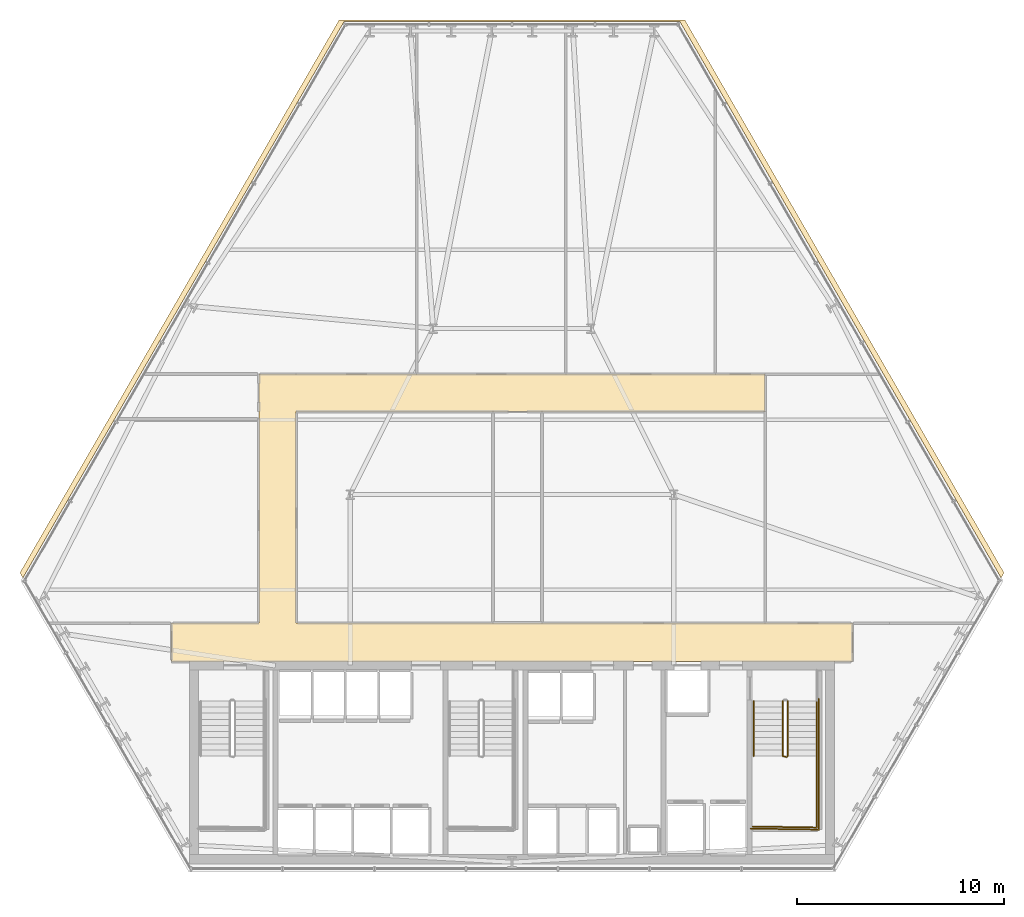
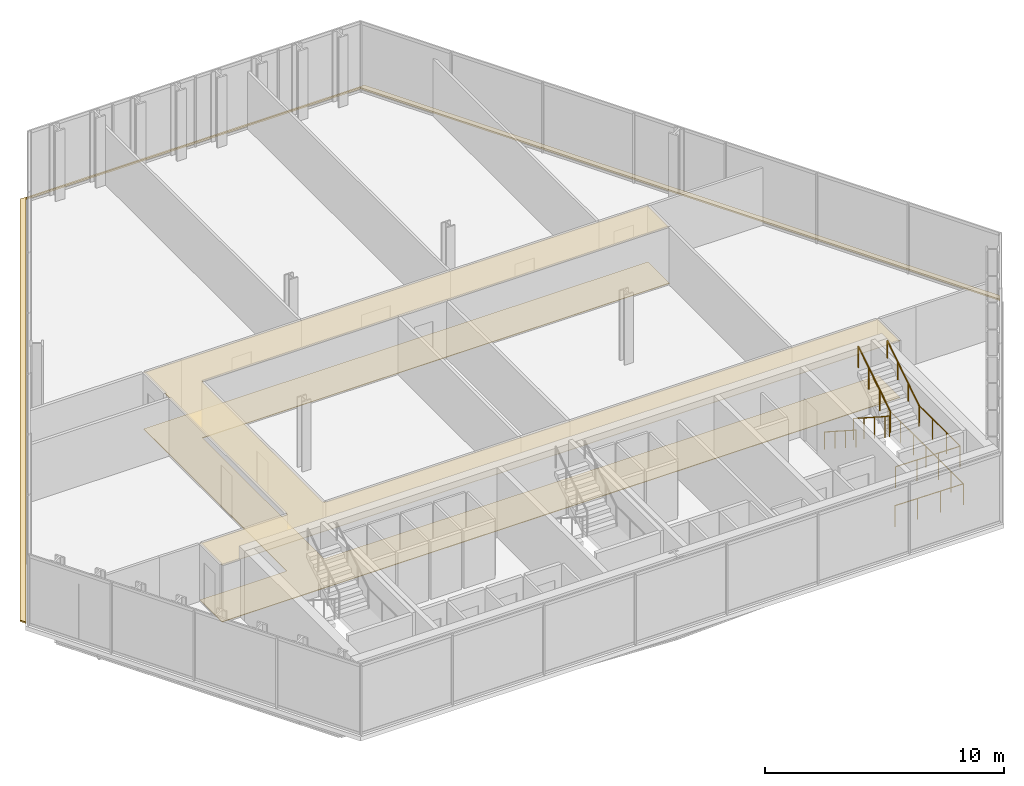
# One storey, part 31 of 32: 6 railings, 3 coverings.
"""IFC4 building model written with IfcOpenShell, lengths in metres."""

from ifc_helpers import new_model, si_unit, direction, frame, origin, origin_2d, place, context, subcontext, project, spatial, polyline, circle, outline, extrude, material, layer, layer_set, type_object, element, save


model = new_model("IFC4")

# Units and contexts
model_context = context("Model", 3, precision=1e-05, world=origin(), true_north=direction((0.0, 1.0)))
body_context = subcontext(model_context, "Body", "Model", "MODEL_VIEW")
ifc_project = project(units=[si_unit("LENGTHUNIT", "METRE"), si_unit("AREAUNIT", "SQUARE_METRE"), si_unit("VOLUMEUNIT", "CUBIC_METRE"), si_unit("PLANEANGLEUNIT", "RADIAN"), si_unit("MASSUNIT", "GRAM", prefix="KILO")], contexts=[model_context])

# Site, building, storey
site_placement = place(None, origin())
site = spatial("IfcSite", under=ifc_project, at=site_placement, CompositionType="ELEMENT")
building_placement = place(site_placement, origin())
building = spatial("IfcBuilding", under=site, at=building_placement, Name="Ndaravel Arena Tower", CompositionType="ELEMENT")
storey_placement = place(building_placement, frame((0.0, 0.0, 47.39990234375)))
storey = spatial("IfcBuildingStorey", under=building, at=storey_placement, Name="L09", CompositionType="ELEMENT", Elevation=47.39990234375)

# Coverings
ifc_material_1 = material(Name="Acoustic Ceiling Tile", Category="finish")
ifc_layer_1 = layer(ifc_material_1, 0.02490234375)
ifc_layer_set_1 = layer_set([ifc_layer_1], Name="Acoustic Ceiling Tile")
covering_type_1 = type_object("IfcCoveringType", Name="COV-CEIL-AC600", PredefinedType="CEILING", material=ifc_layer_set_1)
covering_1_placement = place(storey_placement, frame((0.0, 0.0, 2.90283203125)))
element("IfcCovering", 1, at=covering_1_placement, inside=storey, type_object=covering_type_1, Name="L09 Corridor Acoustic Ceiling", PredefinedType="CEILING", context=body_context, shape_type="SweptSolid", body=[
    extrude(outline(polyline([(58.39990234375, 17.0), (31.60009765625, 17.0), (31.60009765625, 27.199951171875), (54.199951171875, 27.199951171875), (54.199951171875, 29.0), (31.60009765625, 29.0), (29.800048828125, 29.0), (29.800048828125, 27.199951171875), (29.800048828125, 17.0), (25.60009765625, 17.0), (25.60009765625, 15.14990234375), (58.39990234375, 15.14990234375), (58.39990234375, 17.0)])), origin(), (0.0, 0.0, 1.0), 0.025146484375),
])
ifc_material_2 = material(Name="Terrazzo", Category="stone")
ifc_layer_2 = layer(ifc_material_2, 0.030029296875)
ifc_layer_set_2 = layer_set([ifc_layer_2], Name="Terrazzo")
covering_type_2 = type_object("IfcCoveringType", Name="COV-FLOOR-TERRAZZO", PredefinedType="FLOORING", material=ifc_layer_set_2)
covering_2_placement = place(storey_placement, origin())
element("IfcCovering", 2, at=covering_2_placement, inside=storey, type_object=covering_type_2, Name="L09 Corridor Terrazzo Flooring", PredefinedType="FLOORING", context=body_context, shape_type="SweptSolid", body=[
    extrude(outline(polyline([(58.39990234375, 17.0), (31.60009765625, 17.0), (31.60009765625, 27.199951171875), (54.199951171875, 27.199951171875), (54.199951171875, 29.0), (31.60009765625, 29.0), (29.800048828125, 29.0), (29.800048828125, 27.199951171875), (29.800048828125, 17.0), (25.60009765625, 17.0), (25.60009765625, 15.14990234375), (58.39990234375, 15.14990234375), (58.39990234375, 17.0)])), origin(), (0.0, 0.0, 1.0), 0.030029296875),
])
ifc_material_3 = material(Name="Roofing Membrane", Category="finish")
ifc_layer_3 = layer(ifc_material_3, 0.080078125)
ifc_layer_set_3 = layer_set([ifc_layer_3], Name="Roofing Membrane")
covering_type_3 = type_object("IfcCoveringType", Name="COV-ROOF-MEMB", PredefinedType="ROOFING", material=ifc_layer_set_3)
covering_3_placement = place(storey_placement, origin())
element("IfcCovering", 3, at=covering_3_placement, inside=storey, type_object=covering_type_3, Name="L09 Facet Setback Weathering Flashing", PredefinedType="ROOFING", context=body_context, shape_type="SweptSolid", body=[
    extrude(outline(polyline([(18.2880859375, 19.429931640625), (33.668701171875, 46.070068359375), (50.331298828125, 46.070068359375), (65.7119140625, 19.429931640625), (65.570556640625, 19.185546875), (50.09423828125, 45.991455078125), (33.90576171875, 45.991455078125), (18.429443359375, 19.185546875), (18.2880859375, 19.429931640625)])), origin(), (0.0, 0.0, 1.0), 0.080078125),
])

# Railings
ifc_material_4 = material(Name="Steel S355", Category="steel")
ifc_layer_4 = layer(ifc_material_4, 0.06005859375)
ifc_layer_set_4 = layer_set([ifc_layer_4], Name="Steel S355")
railing_type_1 = type_object("IfcRailingType", Name="RAIL-STAIR-GD1100", PredefinedType="GUARDRAIL", material=ifc_layer_set_4)
railing_1_placement = place(storey_placement, frame((55.050048828125, 13.25, 0.190185546875)))
element("IfcRailing", 4, at=railing_1_placement, inside=storey, type_object=railing_type_1, Name="L09 ST-3 stair guard 1", PredefinedType="GUARDRAIL", context=body_context, shape_type="SweptSolid", body=[
    extrude(circle(Radius=0.02392578125, at=origin_2d()), frame((0.0, 0.0, 1.076171875), z_axis=(0.0, -0.840723540582, 0.54146461409), x_axis=(1.0, 0.0, 0.0)), (0.0, 0.0, 1.0), 3.157958984375),
    extrude(circle(Radius=0.02392578125, at=origin_2d()), frame((0.0, -2.655029296875, 2.7861328125), z_axis=(0.966993988697, -0.254799187253, 0.0), x_axis=(0.254799187253, 0.966993988697, 0.0)), (0.0, 0.0, 1.0), 0.196533203125),
    extrude(circle(Radius=0.02099609375, at=origin_2d()), origin(), (0.0, 0.0, 1.0), 1.052001953125),
    extrude(circle(Radius=0.02099609375, at=origin_2d()), frame((0.0, -0.885009765625, 0.570068359375)), (0.0, 0.0, 1.0), 1.052001953125),
    extrude(circle(Radius=0.02099609375, at=origin_2d()), frame((0.0, -1.77001953125, 1.139892578125)), (0.0, 0.0, 1.0), 1.052001953125),
    extrude(circle(Radius=0.02099609375, at=origin_2d()), frame((0.0, -2.655029296875, 1.7099609375)), (0.0, 0.0, 1.0), 1.052001953125),
    extrude(circle(Radius=0.02099609375, at=origin_2d()), frame((0.18994140625, -2.705078125, 1.7099609375)), (0.0, 0.0, 1.0), 1.052001953125),
])
railing_2_placement = place(storey_placement, frame((56.68994140625, 10.594970703125, 1.900146484375)))
element("IfcRailing", 5, at=railing_2_placement, inside=storey, type_object=railing_type_1, Name="L09 ST-3 stair guard 2", PredefinedType="GUARDRAIL", context=body_context, shape_type="SweptSolid", body=[
    extrude(circle(Radius=0.02392578125, at=origin_2d()), frame((0.0, 0.0, 1.076171875), z_axis=(0.0, -1.0, 0.0), x_axis=(1.0, 0.0, 0.0)), (0.0, 0.0, 1.0), 3.445068359375),
    extrude(circle(Radius=0.02392578125, at=origin_2d()), frame((0.0, -3.445068359375, 1.076171875), z_axis=(-0.999868840623, 0.016195726322, 0.0), x_axis=(-0.016195726322, -0.999868840623, 0.0)), (0.0, 0.0, 1.0), 3.09033203125),
    extrude(circle(Radius=0.02099609375, at=origin_2d()), origin(), (0.0, 0.0, 1.0), 1.052001953125),
    extrude(circle(Radius=0.02099609375, at=origin_2d()), frame((0.0, -1.1484375, 0.0)), (0.0, 0.0, 1.0), 1.052001953125),
    extrude(circle(Radius=0.02099609375, at=origin_2d()), frame((0.0, -2.296630859375, 0.0)), (0.0, 0.0, 1.0), 1.052001953125),
    extrude(circle(Radius=0.02099609375, at=origin_2d()), frame((0.0, -3.445068359375, 0.0)), (0.0, 0.0, 1.0), 1.052001953125),
    extrude(circle(Radius=0.02099609375, at=origin_2d()), frame((-1.030029296875, -3.428466796875, 0.0)), (0.0, 0.0, 1.0), 1.052001953125),
    extrude(circle(Radius=0.02099609375, at=origin_2d()), frame((-2.059814453125, -3.41162109375, 0.0)), (0.0, 0.0, 1.0), 1.052001953125),
    extrude(circle(Radius=0.02099609375, at=origin_2d()), frame((-3.08984375, -3.39501953125, 0.0)), (0.0, 0.0, 1.0), 1.052001953125),
])
railing_3_placement = place(storey_placement, frame((55.2900390625, 10.594970703125, 2.090087890625)))
element("IfcRailing", 6, at=railing_3_placement, inside=storey, type_object=railing_type_1, Name="L09 ST-3 stair guard 3", PredefinedType="GUARDRAIL", context=body_context, shape_type="SweptSolid", body=[
    extrude(circle(Radius=0.02392578125, at=origin_2d()), frame((0.0, 0.0, 1.076171875), z_axis=(0.0, 0.840723540582, 0.54146461409), x_axis=(-1.0, 0.0, 0.0)), (0.0, 0.0, 1.0), 3.157958984375),
    extrude(circle(Radius=0.02099609375, at=origin_2d()), origin(), (0.0, 0.0, 1.0), 1.052001953125),
    extrude(circle(Radius=0.02099609375, at=origin_2d()), frame((0.0, 0.885009765625, 0.570068359375)), (0.0, 0.0, 1.0), 1.052001953125),
    extrude(circle(Radius=0.02099609375, at=origin_2d()), frame((0.0, 1.77001953125, 1.139892578125)), (0.0, 0.0, 1.0), 1.052001953125),
    extrude(circle(Radius=0.02099609375, at=origin_2d()), frame((0.0, 2.655029296875, 1.7099609375)), (0.0, 0.0, 1.0), 1.052001953125),
])
railing_4_placement = place(storey_placement, frame((56.7900390625, 13.35009765625, 0.0)))
element("IfcRailing", 7, at=railing_4_placement, inside=storey, type_object=railing_type_1, Name="L09 ST-3 stair guard 6", PredefinedType="GUARDRAIL", context=body_context, shape_type="SweptSolid", body=[
    extrude(circle(Radius=0.02392578125, at=origin_2d()), frame((0.0, 0.0, 1.076171875), z_axis=(0.0, -1.0, 0.0), x_axis=(1.0, 0.0, 0.0)), (0.0, 0.0, 1.0), 6.300048828125),
    extrude(circle(Radius=0.02392578125, at=origin_2d()), frame((0.0, -6.300048828125, 1.076171875), z_axis=(-0.99988431412, 0.015210469308, 0.0), x_axis=(-0.015210469308, -0.99988431412, 0.0)), (0.0, 0.0, 1.0), 3.29052734375),
    extrude(circle(Radius=0.02099609375, at=origin_2d()), origin(), (0.0, 0.0, 1.0), 1.052001953125),
    extrude(circle(Radius=0.02099609375, at=origin_2d()), frame((0.0, -1.050048828125, 0.0)), (0.0, 0.0, 1.0), 1.052001953125),
    extrude(circle(Radius=0.02099609375, at=origin_2d()), frame((0.0, -2.10009765625, 0.0)), (0.0, 0.0, 1.0), 1.052001953125),
    extrude(circle(Radius=0.02099609375, at=origin_2d()), frame((0.0, -3.14990234375, 0.0)), (0.0, 0.0, 1.0), 1.052001953125),
    extrude(circle(Radius=0.02099609375, at=origin_2d()), frame((0.0, -4.199951171875, 0.0)), (0.0, 0.0, 1.0), 1.052001953125),
    extrude(circle(Radius=0.02099609375, at=origin_2d()), frame((0.0, -5.25, 0.0)), (0.0, 0.0, 1.0), 1.052001953125),
    extrude(circle(Radius=0.02099609375, at=origin_2d()), frame((0.0, -6.300048828125, 0.0)), (0.0, 0.0, 1.0), 1.052001953125),
    extrude(circle(Radius=0.02099609375, at=origin_2d()), frame((-1.0966796875, -6.283447265625, 0.0)), (0.0, 0.0, 1.0), 1.052001953125),
    extrude(circle(Radius=0.02099609375, at=origin_2d()), frame((-2.193359375, -6.2666015625, 0.0)), (0.0, 0.0, 1.0), 1.052001953125),
    extrude(circle(Radius=0.02099609375, at=origin_2d()), frame((-3.2900390625, -6.25, 0.0)), (0.0, 0.0, 1.0), 1.052001953125),
])
ifc_material_5 = material(Name="Steel S355", Category="steel")
ifc_layer_5 = layer(ifc_material_5, 0.050048828125)
ifc_layer_set_5 = layer_set([ifc_layer_5], Name="Steel S355")
railing_type_2 = type_object("IfcRailingType", Name="RAIL-STAIR-HR920", PredefinedType="HANDRAIL", material=ifc_layer_set_5)
railing_5_placement = place(storey_placement, frame((53.64990234375, 13.25, 0.190185546875)))
element("IfcRailing", 8, at=railing_5_placement, inside=storey, type_object=railing_type_2, Name="L09 ST-3 stair handrail 1", PredefinedType="HANDRAIL", context=body_context, shape_type="SweptSolid", body=[
    extrude(circle(Radius=0.02392578125, at=origin_2d()), frame((0.0, 0.0, 0.8759765625), z_axis=(0.0, -0.840723540582, 0.54146461409), x_axis=(1.0, 0.0, 0.0)), (0.0, 0.0, 1.0), 3.157958984375),
    extrude(circle(Radius=0.02099609375, at=origin_2d()), origin(), (0.0, 0.0, 1.0), 0.851806640625),
    extrude(circle(Radius=0.02099609375, at=origin_2d()), frame((0.0, -0.885009765625, 0.570068359375)), (0.0, 0.0, 1.0), 0.851806640625),
    extrude(circle(Radius=0.02099609375, at=origin_2d()), frame((0.0, -1.77001953125, 1.139892578125)), (0.0, 0.0, 1.0), 0.851806640625),
    extrude(circle(Radius=0.02099609375, at=origin_2d()), frame((0.0, -2.655029296875, 1.7099609375)), (0.0, 0.0, 1.0), 0.851806640625),
])
railing_6_placement = place(storey_placement, frame((56.68994140625, 10.594970703125, 2.090087890625)))
element("IfcRailing", 9, at=railing_6_placement, inside=storey, type_object=railing_type_2, Name="L09 ST-3 stair handrail 2", PredefinedType="HANDRAIL", context=body_context, shape_type="SweptSolid", body=[
    extrude(circle(Radius=0.02392578125, at=origin_2d()), frame((0.0, 0.0, 0.8759765625), z_axis=(0.0, 0.840723540582, 0.54146461409), x_axis=(-1.0, 0.0, 0.0)), (0.0, 0.0, 1.0), 3.157958984375),
    extrude(circle(Radius=0.02099609375, at=origin_2d()), origin(), (0.0, 0.0, 1.0), 0.851806640625),
    extrude(circle(Radius=0.02099609375, at=origin_2d()), frame((0.0, 0.885009765625, 0.570068359375)), (0.0, 0.0, 1.0), 0.851806640625),
    extrude(circle(Radius=0.02099609375, at=origin_2d()), frame((0.0, 1.77001953125, 1.139892578125)), (0.0, 0.0, 1.0), 0.851806640625),
    extrude(circle(Radius=0.02099609375, at=origin_2d()), frame((0.0, 2.655029296875, 1.7099609375)), (0.0, 0.0, 1.0), 0.851806640625),
])

save(model, "model.ifc")
